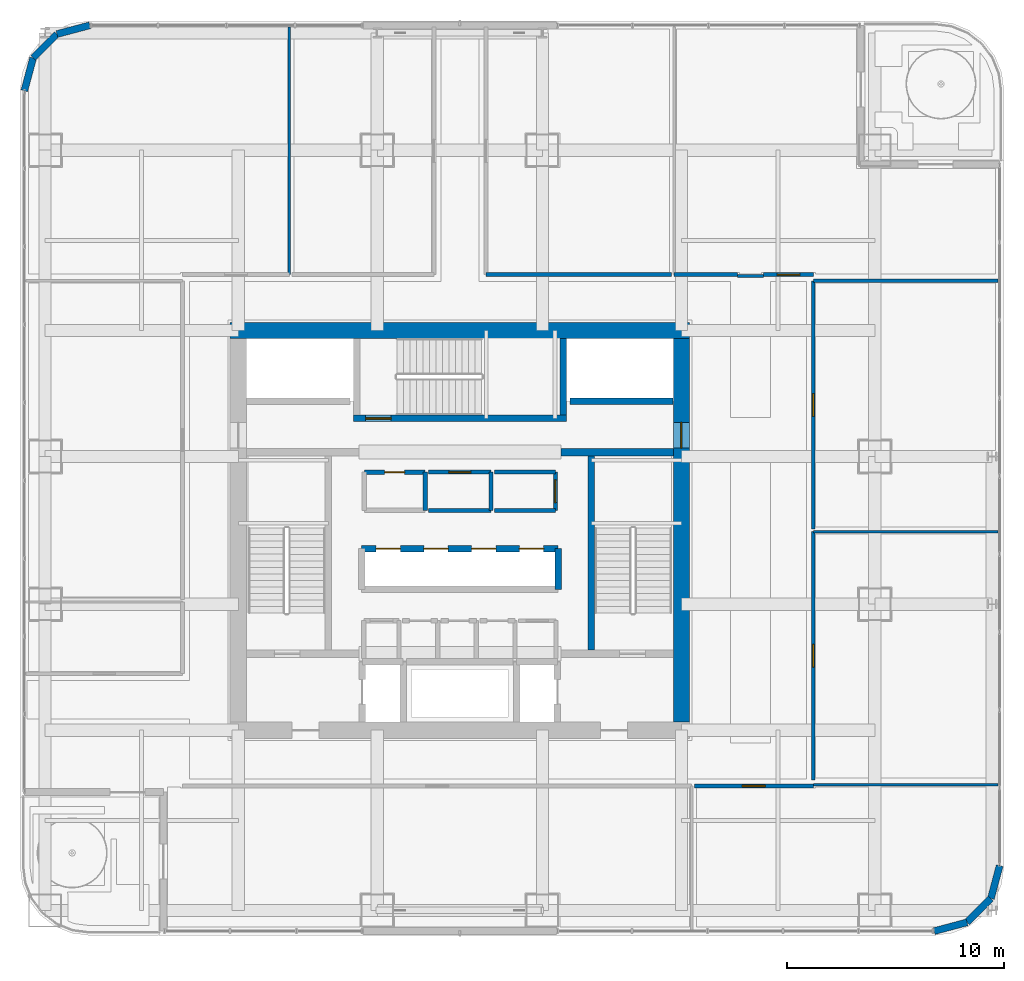
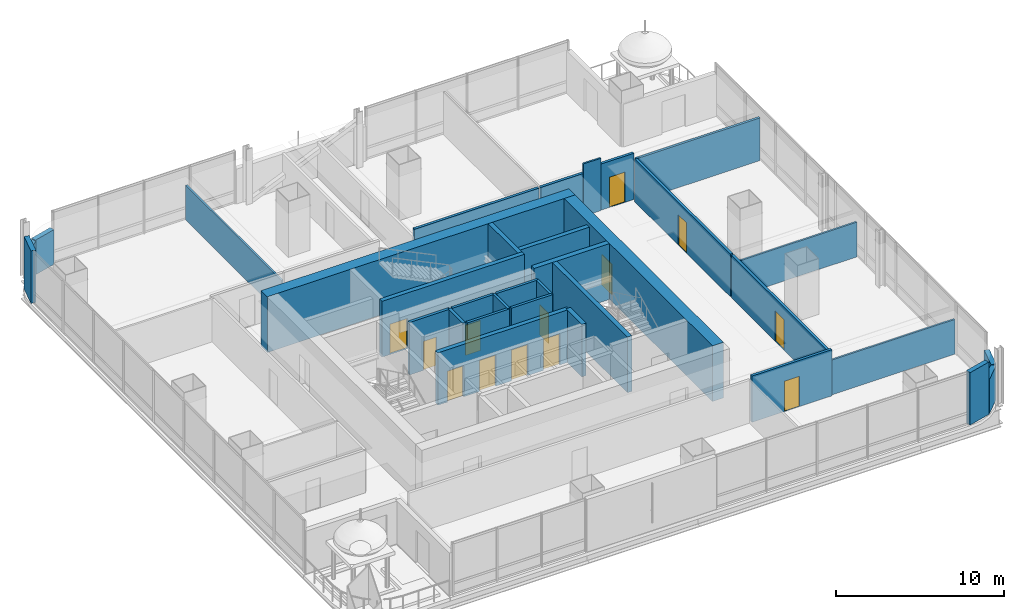
# One storey, part 27 of 37: 34 walls, 13 doors, 13 openings.
"""IFC4 building model written with IfcOpenShell, lengths in metres."""

from ifc_helpers import new_model, si_unit, direction, frame, frame_2d, origin, place, context, subcontext, project, spatial, rectangle, extrude, material, layer, layer_set, type_object, element, fill, save


model = new_model("IFC4")

# Units and contexts
model_context = context("Model", 3, precision=1e-05, world=origin(), true_north=direction((0.0, 1.0)))
body_context = subcontext(model_context, "Body", "Model", "MODEL_VIEW")
ifc_project = project(units=[si_unit("LENGTHUNIT", "METRE"), si_unit("AREAUNIT", "SQUARE_METRE"), si_unit("VOLUMEUNIT", "CUBIC_METRE"), si_unit("PLANEANGLEUNIT", "RADIAN"), si_unit("MASSUNIT", "GRAM", prefix="KILO")], contexts=[model_context])

# Site, building, storey
site_placement = place(None, origin())
site = spatial("IfcSite", under=ifc_project, at=site_placement, CompositionType="ELEMENT")
building_placement = place(site_placement, origin())
building = spatial("IfcBuilding", under=site, at=building_placement, Name="Punatoya Terracotta Tower", CompositionType="ELEMENT")
storey_placement = place(building_placement, frame((0.0, 0.0, 109.199951171875)))
storey = spatial("IfcBuildingStorey", under=building, at=storey_placement, Name="L25", CompositionType="ELEMENT", Elevation=109.199951171875)

# Wall
ifc_material_1 = material(Name="Concrete C60/75", Category="concrete")
ifc_layer_1 = layer(ifc_material_1, 0.75)
ifc_layer_set_1 = layer_set([ifc_layer_1], Name="Concrete C60/75")
wall_type_1 = type_object("IfcWallType", Name="WL-COR-750", PredefinedType="SHEAR", material=ifc_layer_set_1)
wall_1_placement = place(storey_placement, frame((-10.574951171875, 9.199951171875, 0.0), z_axis=(0.0, 0.0, 1.0), x_axis=(1.0, 0.0, 0.0)))
element("IfcWall", 1, at=wall_1_placement, inside=storey, type_object=wall_type_1, Name="L25 Core Shear Wall N", PredefinedType="SHEAR", context=body_context, shape_type="SweptSolid", body=[
    extrude(rectangle(XDim=21.14990234375, YDim=0.75, at=frame_2d((10.574951171875, 0.0))), origin(), (0.0, 0.0, 1.0), 4.050048828125),
])

# Wall, opening, door
wall_2_placement = place(storey_placement, frame((10.199951171875, 8.824951171875, 0.0), z_axis=(0.0, 0.0, 1.0), x_axis=(0.0, -1.0, 0.0)))
wall_2 = element("IfcWall", 2, at=wall_2_placement, inside=storey, type_object=wall_type_1, Name="L25 Core Shear Wall E", PredefinedType="SHEAR", context=body_context, shape_type="SweptSolid", body=[
    extrude(rectangle(XDim=17.64990234375, YDim=0.75, at=frame_2d((8.824951171875, 0.0))), origin(), (0.0, 0.0, 1.0), 4.050048828125),
])
opening_1_placement = place(wall_2_placement, frame((3.85498046875, 0.0, 0.0)))
opening_1 = element("IfcOpeningElement", 3, at=opening_1_placement, cuts=wall_2, Name="Opening SD-01", PredefinedType="OPENING", context=body_context, shape_type="SweptSolid", body=[
    extrude(rectangle(XDim=1.179931640625, YDim=2.199951171875, at=frame_2d((0.58984375, 1.10009765625))), frame((0.0, 0.385009765625, 0.0), z_axis=(0.0, -1.0, 0.0), x_axis=(1.0, 0.0, 0.0)), (0.0, 0.0, 1.0), 0.77001953125),
])
ifc_material_2 = material(Name="Galvanised Steel Pressurized Stair Fire Door", Category="steel")
door_type_1 = type_object("IfcDoorType", Name="DR-STR-1180", OperationType="NOTDEFINED", PredefinedType="DOOR", material=ifc_material_2)
door_1_placement = place(opening_1_placement, origin())
door_1 = element("IfcDoor", 4, at=door_1_placement, inside=storey, type_object=door_type_1, Name="L25 Central Lift Lobby East Fire Door", OperationType="SINGLE_SWING_RIGHT", OverallHeight=2.199951171875, OverallWidth=1.179931640625, PredefinedType="DOOR", context=body_context, shape_type="SweptSolid", body=[
    extrude(rectangle(XDim=1.179931640625, YDim=2.199951171875, at=frame_2d((0.58984375, 1.10009765625))), frame((0.0, 0.02490234375, 0.0), z_axis=(0.0, -1.0, 0.0), x_axis=(1.0, 0.0, 0.0)), (0.0, 0.0, 1.0), 0.050048828125),
])
fill(opening_1, door_1)

# Wall
ifc_material_3 = material(Name="Gypsum Fireboard + Steel Stud", Category="steel")
ifc_layer_2 = layer(ifc_material_3, 0.179931640625)
ifc_layer_set_2 = layer_set([ifc_layer_2], Name="Gypsum Fireboard + Steel Stud")
wall_type_2 = type_object("IfcWallType", Name="WL-CORR-180", PredefinedType="PARTITIONING", material=ifc_layer_set_2)
wall_3_placement = place(storey_placement, frame((1.43994140625, 0.919921875, 0.0), z_axis=(0.0, 0.0, 1.0), x_axis=(0.0, 1.0, 0.0)))
element("IfcWall", 5, at=wall_3_placement, inside=storey, type_object=wall_type_2, Name="L25 Center Core Briefing Pod Partition 16", PredefinedType="PARTITIONING", context=body_context, shape_type="SweptSolid", body=[
    extrude(rectangle(XDim=1.760009765625, YDim=0.179931640625, at=frame_2d((0.8798828125, 0.0))), origin(), (0.0, 0.0, 1.0), 3.81005859375),
])

# Wall, opening, door
wall_4_placement = place(storey_placement, frame((1.43994140625, 2.679931640625, 0.0), z_axis=(0.0, 0.0, 1.0), x_axis=(-1.0, 0.0, 0.0)))
wall_4 = element("IfcWall", 6, at=wall_4_placement, inside=storey, type_object=wall_type_2, Name="L25 Center Core Briefing Pod Partition 17", PredefinedType="PARTITIONING", context=body_context, shape_type="SweptSolid", body=[
    extrude(rectangle(XDim=2.8798828125, YDim=0.179931640625, at=frame_2d((1.43994140625, 0.0))), origin(), (0.0, 0.0, 1.0), 3.81005859375),
])
opening_2_placement = place(wall_4_placement, frame((0.929931640625, 0.0, 0.0)))
opening_2 = element("IfcOpeningElement", 7, at=opening_2_placement, cuts=wall_4, Name="Opening MD-01", PredefinedType="OPENING", context=body_context, shape_type="SweptSolid", body=[
    extrude(rectangle(XDim=1.02001953125, YDim=2.199951171875, at=frame_2d((0.510009765625, 1.10009765625))), frame((0.0, 0.099853515625, 0.0), z_axis=(0.0, -1.0, 0.0), x_axis=(1.0, 0.0, 0.0)), (0.0, 0.0, 1.0), 0.199951171875),
])
ifc_material_4 = material(Name="Aluminium + Acoustic Glass Leaf", Category="aluminium")
door_type_2 = type_object("IfcDoorType", Name="DR-MTG-1020", OperationType="NOTDEFINED", PredefinedType="DOOR", material=ifc_material_4)
door_2_placement = place(opening_2_placement, origin())
door_2 = element("IfcDoor", 8, at=door_2_placement, inside=storey, type_object=door_type_2, Name="L25 Center Briefing Pod Door", OperationType="SINGLE_SWING_RIGHT", OverallHeight=2.199951171875, OverallWidth=1.02001953125, PredefinedType="DOOR", context=body_context, shape_type="SweptSolid", body=[
    extrude(rectangle(XDim=1.02001953125, YDim=2.199951171875, at=frame_2d((0.510009765625, 1.10009765625))), frame((0.0, 0.02490234375, 0.0), z_axis=(0.0, -1.0, 0.0), x_axis=(1.0, 0.0, 0.0)), (0.0, 0.0, 1.0), 0.050048828125),
])
fill(opening_2, door_2)

# Wall
wall_5_placement = place(storey_placement, frame((-1.43994140625, 0.919921875, 0.0), z_axis=(0.0, 0.0, 1.0), x_axis=(1.0, 0.0, 0.0)))
element("IfcWall", 9, at=wall_5_placement, inside=storey, type_object=wall_type_2, Name="L25 Center Core Briefing Pod Partition 18", PredefinedType="PARTITIONING", context=body_context, shape_type="SweptSolid", body=[
    extrude(rectangle(XDim=2.8798828125, YDim=0.179931640625, at=frame_2d((1.43994140625, 0.0))), origin(), (0.0, 0.0, 1.0), 3.81005859375),
])

# Wall, opening, door
wall_6_placement = place(storey_placement, frame((4.39990234375, 0.919921875, 0.0), z_axis=(0.0, 0.0, 1.0), x_axis=(0.0, 1.0, 0.0)))
wall_6 = element("IfcWall", 10, at=wall_6_placement, inside=storey, type_object=wall_type_2, Name="L25 Right Core Copy Room Partition 19", PredefinedType="PARTITIONING", context=body_context, shape_type="SweptSolid", body=[
    extrude(rectangle(XDim=1.760009765625, YDim=0.179931640625, at=frame_2d((0.8798828125, 0.0))), origin(), (0.0, 0.0, 1.0), 3.81005859375),
])
opening_3_placement = place(wall_6_placement, frame((0.35498046875, 0.0, 0.0)))
opening_3 = element("IfcOpeningElement", 11, at=opening_3_placement, cuts=wall_6, Name="Opening OD-01", PredefinedType="OPENING", context=body_context, shape_type="SweptSolid", body=[
    extrude(rectangle(XDim=1.050048828125, YDim=2.199951171875, at=frame_2d((0.52490234375, 1.10009765625))), frame((0.0, 0.099853515625, 0.0), z_axis=(0.0, -1.0, 0.0), x_axis=(1.0, 0.0, 0.0)), (0.0, 0.0, 1.0), 0.199951171875),
])
ifc_material_5 = material(Name="Bengal Teak Solid-Core Leaf")
door_type_3 = type_object("IfcDoorType", Name="DR-OFF-1050", OperationType="NOTDEFINED", PredefinedType="DOOR", material=ifc_material_5)
door_3_placement = place(opening_3_placement, origin())
door_3 = element("IfcDoor", 12, at=door_3_placement, inside=storey, type_object=door_type_3, Name="L25 Right Copy Room Door", OperationType="SINGLE_SWING_LEFT", OverallHeight=2.199951171875, OverallWidth=1.050048828125, PredefinedType="DOOR", context=body_context, shape_type="SweptSolid", body=[
    extrude(rectangle(XDim=1.050048828125, YDim=2.199951171875, at=frame_2d((0.52490234375, 1.10009765625))), frame((0.0, 0.02490234375, 0.0), z_axis=(0.0, -1.0, 0.0), x_axis=(1.0, 0.0, 0.0)), (0.0, 0.0, 1.0), 0.050048828125),
])
fill(opening_3, door_3)

# Walls
for number, where, z_axis, x_axis, name in (
    (13, (4.39990234375, 2.679931640625, 0.0), (0.0, 0.0, 1.0), (-1.0, 0.0, 0.0), "L25 Right Core Copy Room Partition 20"),
    (14, (1.60009765625, 0.919921875, 0.0), (0.0, 0.0, 1.0), (1.0, 0.0, 0.0), "L25 Right Core Copy Room Partition 21"),
):
    element("IfcWall", number, at=place(storey_placement, frame(where, z_axis=z_axis, x_axis=x_axis)), inside=storey, type_object=wall_type_2, Name=name, PredefinedType="PARTITIONING", context=body_context, shape_type="SweptSolid", body=[
        extrude(rectangle(XDim=2.7998046875, YDim=0.179931640625, at=frame_2d((1.39990234375, 0.0))), origin(), (0.0, 0.0, 1.0), 3.81005859375),
    ])

# Wall, opening, door
wall_7_placement = place(storey_placement, frame((10.7939453125, -11.77001953125, 0.0), z_axis=(0.0, 0.0, 1.0), x_axis=(1.0, 0.0, 0.0)))
wall_7 = element("IfcWall", 15, at=wall_7_placement, inside=storey, type_object=wall_type_2, Name="L25 Open-Plan Analytical Practice Office Partition 25", PredefinedType="PARTITIONING", context=body_context, shape_type="SweptSolid", body=[
    extrude(rectangle(XDim=5.47607421875, YDim=0.179931640625, at=frame_2d((2.738037109375, 0.0))), origin(), (0.0, 0.0, 1.0), 3.35400390625),
])
opening_4_placement = place(wall_7_placement, frame((2.212890625, 0.0, 0.0)))
opening_4 = element("IfcOpeningElement", 16, at=opening_4_placement, cuts=wall_7, Name="Opening OD-01", PredefinedType="OPENING", context=body_context, shape_type="SweptSolid", body=[
    extrude(rectangle(XDim=1.050048828125, YDim=2.199951171875, at=frame_2d((0.52490234375, 1.10009765625))), frame((0.0, 0.099853515625, 0.0), z_axis=(0.0, -1.0, 0.0), x_axis=(1.0, 0.0, 0.0)), (0.0, 0.0, 1.0), 0.199951171875),
])
door_4_placement = place(opening_4_placement, origin())
door_4 = element("IfcDoor", 17, at=door_4_placement, inside=storey, type_object=door_type_3, Name="L25 Open-Plan Analytical Practice Office Door", OperationType="SINGLE_SWING_LEFT", OverallHeight=2.199951171875, OverallWidth=1.050048828125, PredefinedType="DOOR", context=body_context, shape_type="SweptSolid", body=[
    extrude(rectangle(XDim=1.050048828125, YDim=2.199951171875, at=frame_2d((0.52490234375, 1.10009765625))), frame((0.0, 0.02490234375, 0.0), z_axis=(0.0, -1.0, 0.0), x_axis=(1.0, 0.0, 0.0)), (0.0, 0.0, 1.0), 0.050048828125),
])
fill(opening_4, door_4)

wall_8_placement = place(storey_placement, frame((16.27001953125, -11.489990234375, 0.0), z_axis=(0.0, 0.0, 1.0), x_axis=(0.0, 1.0, 0.0)))
wall_8 = element("IfcWall", 18, at=wall_8_placement, inside=storey, type_object=wall_type_2, Name="L25 Open-Plan Project Design Office Partition 27", PredefinedType="PARTITIONING", context=body_context, shape_type="SweptSolid", body=[
    extrude(rectangle(XDim=11.429931640625, YDim=0.179931640625, at=frame_2d((5.71484375, 0.0))), origin(), (0.0, 0.0, 1.0), 3.10400390625),
])
opening_5_placement = place(wall_8_placement, frame((5.18994140625, 0.0, 0.0)))
opening_5 = element("IfcOpeningElement", 19, at=opening_5_placement, cuts=wall_8, Name="Opening OD-01", PredefinedType="OPENING", context=body_context, shape_type="SweptSolid", body=[
    extrude(rectangle(XDim=1.050048828125, YDim=2.199951171875, at=frame_2d((0.52490234375, 1.10009765625))), frame((0.0, 0.099853515625, 0.0), z_axis=(0.0, -1.0, 0.0), x_axis=(1.0, 0.0, 0.0)), (0.0, 0.0, 1.0), 0.199951171875),
])
door_5_placement = place(opening_5_placement, origin())
door_5 = element("IfcDoor", 20, at=door_5_placement, inside=storey, type_object=door_type_3, Name="L25 Open-Plan Project Design Office Door", OperationType="SINGLE_SWING_RIGHT", OverallHeight=2.199951171875, OverallWidth=1.050048828125, PredefinedType="DOOR", context=body_context, shape_type="SweptSolid", body=[
    extrude(rectangle(XDim=1.050048828125, YDim=2.199951171875, at=frame_2d((0.52490234375, 1.10009765625))), frame((0.0, 0.02490234375, 0.0), z_axis=(0.0, -1.0, 0.0), x_axis=(1.0, 0.0, 0.0)), (0.0, 0.0, 1.0), 0.050048828125),
])
fill(opening_5, door_5)

wall_9_placement = place(storey_placement, frame((16.27001953125, 0.06005859375, 0.0), z_axis=(0.0, 0.0, 1.0), x_axis=(0.0, 1.0, 0.0)))
wall_9 = element("IfcWall", 21, at=wall_9_placement, inside=storey, type_object=wall_type_2, Name="L25 Open-Plan Staff Tea Pantry Partition 34", PredefinedType="PARTITIONING", context=body_context, shape_type="SweptSolid", body=[
    extrude(rectangle(XDim=11.429931640625, YDim=0.179931640625, at=frame_2d((5.71484375, 0.0))), origin(), (0.0, 0.0, 1.0), 3.10400390625),
])
opening_6_placement = place(wall_9_placement, frame((5.18994140625, 0.0, 0.0)))
opening_6 = element("IfcOpeningElement", 22, at=opening_6_placement, cuts=wall_9, Name="Opening OD-01", PredefinedType="OPENING", context=body_context, shape_type="SweptSolid", body=[
    extrude(rectangle(XDim=1.050048828125, YDim=2.199951171875, at=frame_2d((0.52490234375, 1.10009765625))), frame((0.0, 0.099853515625, 0.0), z_axis=(0.0, -1.0, 0.0), x_axis=(1.0, 0.0, 0.0)), (0.0, 0.0, 1.0), 0.199951171875),
])
door_6_placement = place(opening_6_placement, origin())
door_6 = element("IfcDoor", 23, at=door_6_placement, inside=storey, type_object=door_type_3, Name="L25 Open-Plan Staff Tea Pantry Door", OperationType="SINGLE_SWING_LEFT", OverallHeight=2.199951171875, OverallWidth=1.050048828125, PredefinedType="DOOR", context=body_context, shape_type="SweptSolid", body=[
    extrude(rectangle(XDim=1.050048828125, YDim=2.199951171875, at=frame_2d((0.52490234375, 1.10009765625))), frame((0.0, 0.02490234375, 0.0), z_axis=(0.0, -1.0, 0.0), x_axis=(1.0, 0.0, 0.0)), (0.0, 0.0, 1.0), 0.050048828125),
])
fill(opening_6, door_6)

wall_10_placement = place(storey_placement, frame((16.27001953125, 11.77001953125, 0.0), z_axis=(0.0, 0.0, 1.0), x_axis=(-1.0, 0.0, 0.0)))
wall_10 = element("IfcWall", 24, at=wall_10_placement, inside=storey, type_object=wall_type_2, Name="L25 Wellness Quiet Room Partition 35", PredefinedType="PARTITIONING", context=body_context, shape_type="SweptSolid", body=[
    extrude(rectangle(XDim=2.2900390625, YDim=0.179931640625, at=frame_2d((1.14501953125, 0.0))), origin(), (0.0, 0.0, 1.0), 3.35400390625),
])
opening_7_placement = place(wall_10_placement, frame((0.6201171875, 0.0, 0.0)))
opening_7 = element("IfcOpeningElement", 25, at=opening_7_placement, cuts=wall_10, Name="Opening OD-01", PredefinedType="OPENING", context=body_context, shape_type="SweptSolid", body=[
    extrude(rectangle(XDim=1.050048828125, YDim=2.199951171875, at=frame_2d((0.52490234375, 1.10009765625))), frame((0.0, 0.099853515625, 0.0), z_axis=(0.0, -1.0, 0.0), x_axis=(1.0, 0.0, 0.0)), (0.0, 0.0, 1.0), 0.199951171875),
])
door_7_placement = place(opening_7_placement, origin())
door_7 = element("IfcDoor", 26, at=door_7_placement, inside=storey, type_object=door_type_3, Name="L25 Wellness Quiet Room Door", OperationType="SINGLE_SWING_RIGHT", OverallHeight=2.199951171875, OverallWidth=1.050048828125, PredefinedType="DOOR", context=body_context, shape_type="SweptSolid", body=[
    extrude(rectangle(XDim=1.050048828125, YDim=2.199951171875, at=frame_2d((0.52490234375, 1.10009765625))), frame((0.0, 0.02490234375, 0.0), z_axis=(0.0, -1.0, 0.0), x_axis=(1.0, 0.0, 0.0)), (0.0, 0.0, 1.0), 0.050048828125),
])
fill(opening_7, door_7)

# Walls
wall_11_placement = place(storey_placement, frame((12.77001953125, 11.77001953125, 0.0), z_axis=(0.0, 0.0, 1.0), x_axis=(-1.0, 0.0, 0.0)))
element("IfcWall", 27, at=wall_11_placement, inside=storey, type_object=wall_type_2, Name="L25 Wellness Quiet Room Partition 37", PredefinedType="PARTITIONING", context=body_context, shape_type="SweptSolid", body=[
    extrude(rectangle(XDim=2.902099609375, YDim=0.179931640625, at=frame_2d((1.451171875, 0.0))), origin(), (0.0, 0.0, 1.0), 3.10400390625),
])
wall_12_placement = place(storey_placement, frame((9.748046875, 11.77001953125, 0.0), z_axis=(0.0, 0.0, 1.0), x_axis=(-1.0, 0.0, 0.0)))
element("IfcWall", 28, at=wall_12_placement, inside=storey, type_object=wall_type_2, Name="L25 Open-Plan Regional Operations Office Partition 44", PredefinedType="PARTITIONING", context=body_context, shape_type="SweptSolid", body=[
    extrude(rectangle(XDim=8.548095703125, YDim=0.179931640625, at=frame_2d((4.27392578125, 0.0))), origin(), (0.0, 0.0, 1.0), 3.10400390625),
])
ifc_material_6 = material(Name="Precast concrete C40/50", Category="concrete")
ifc_layer_3 = layer(ifc_material_6, 0.320068359375)
ifc_layer_set_3 = layer_set([ifc_layer_3], Name="Precast concrete C40/50")
wall_type_3 = type_object("IfcWallType", Name="WL-EXT-320", PredefinedType="SOLIDWALL", material=ifc_layer_set_3)
wall_13_placement = place(storey_placement, frame((21.8369140625, -18.449951171875, 0.0), z_axis=(0.0, 0.0, 1.0), x_axis=(0.966224582397, 0.257701486942, 0.0)))
element("IfcWall", 29, at=wall_13_placement, inside=storey, type_object=wall_type_3, Name="L25 Rounded Terracotta Corner Pier 02", PredefinedType="SOLIDWALL", context=body_context, shape_type="SweptSolid", body=[
    extrude(rectangle(XDim=1.565185546875, YDim=0.320068359375, at=frame_2d((0.78271484375, 0.0))), origin(), (0.0, 0.0, 1.0), 3.81005859375),
])
wall_14_placement = place(storey_placement, frame((23.34912109375, -18.046630859375, 0.0), z_axis=(0.0, 0.0, 1.0), x_axis=(0.707106781187, 0.707106781187, 0.0)))
element("IfcWall", 30, at=wall_14_placement, inside=storey, type_object=wall_type_3, Name="L25 Rounded Terracotta Corner Pier 03", PredefinedType="SOLIDWALL", context=body_context, shape_type="SweptSolid", body=[
    extrude(rectangle(XDim=1.552001953125, YDim=0.320068359375, at=frame_2d((0.77587890625, 0.0))), origin(), (0.0, 0.0, 1.0), 2.484130859375),
])
for number, where, z_axis, x_axis, name in (
    (31, (24.446533203125, -16.94921875, 0.0), (0.0, 0.0, 1.0), (0.257847112249, 0.966185730957, 0.0), "L25 Rounded Terracotta Corner Pier 04"),
    (32, (-17.036865234375, 23.25, 0.0), (0.0, 0.0, 1.0), (-0.966224582397, -0.257701486942, 0.0), "L25 Rounded Terracotta Corner Pier 09"),
):
    element("IfcWall", number, at=place(storey_placement, frame(where, z_axis=z_axis, x_axis=x_axis)), inside=storey, type_object=wall_type_3, Name=name, PredefinedType="SOLIDWALL", context=body_context, shape_type="SweptSolid", body=[
        extrude(rectangle(XDim=1.565185546875, YDim=0.320068359375, at=frame_2d((0.78271484375, 0.0))), origin(), (0.0, 0.0, 1.0), 2.524169921875),
    ])
wall_15_placement = place(storey_placement, frame((-18.549072265625, 22.8466796875, 0.0), z_axis=(0.0, 0.0, 1.0), x_axis=(-0.707028130747, -0.707185422879, 0.0)))
element("IfcWall", 33, at=wall_15_placement, inside=storey, type_object=wall_type_3, Name="L25 Rounded Terracotta Corner Pier 10", PredefinedType="SOLIDWALL", context=body_context, shape_type="SweptSolid", body=[
    extrude(rectangle(XDim=1.55224609375, YDim=0.320068359375, at=frame_2d((0.776123046875, 0.0))), origin(), (0.0, 0.0, 1.0), 2.484130859375),
])
wall_16_placement = place(storey_placement, frame((-19.646484375, 21.7490234375, 0.0), z_axis=(0.0, 0.0, 1.0), x_axis=(-0.257847112249, -0.966185730957, 0.0)))
element("IfcWall", 34, at=wall_16_placement, inside=storey, type_object=wall_type_3, Name="L25 Rounded Terracotta Corner Pier 11", PredefinedType="SOLIDWALL", context=body_context, shape_type="SweptSolid", body=[
    extrude(rectangle(XDim=1.565185546875, YDim=0.320068359375, at=frame_2d((0.78271484375, 0.0))), origin(), (0.0, 0.0, 1.0), 3.81005859375),
])
ifc_material_7 = material(Name="Concrete C40/50", Category="concrete")
ifc_layer_4 = layer(ifc_material_7, 0.199951171875)
ifc_layer_set_4 = layer_set([ifc_layer_4], Name="Concrete C40/50")
wall_type_4 = type_object("IfcWallType", Name="WL-INT-200", PredefinedType="SOLIDWALL", material=ifc_layer_set_4)
wall_17_placement = place(storey_placement, frame((-1.60009765625, 0.919921875, 0.0), z_axis=(0.0, 0.0, 1.0), x_axis=(0.0, 1.0, 0.0)))
element("IfcWall", 35, at=wall_17_placement, inside=storey, type_object=wall_type_4, Name="L25 Left Core Store Partition 12", PredefinedType="SOLIDWALL", context=body_context, shape_type="SweptSolid", body=[
    extrude(rectangle(XDim=1.760009765625, YDim=0.199951171875, at=frame_2d((0.8798828125, 0.0))), origin(), (0.0, 0.0, 1.0), 3.81005859375),
])

# Wall, opening, door
wall_18_placement = place(storey_placement, frame((-1.60009765625, 2.679931640625, 0.0), z_axis=(0.0, 0.0, 1.0), x_axis=(-1.0, 0.0, 0.0)))
wall_18 = element("IfcWall", 36, at=wall_18_placement, inside=storey, type_object=wall_type_4, Name="L25 Left Core Store Partition 13", PredefinedType="SOLIDWALL", context=body_context, shape_type="SweptSolid", body=[
    extrude(rectangle(XDim=2.7998046875, YDim=0.199951171875, at=frame_2d((1.39990234375, 0.0))), origin(), (0.0, 0.0, 1.0), 3.81005859375),
])
opening_8_placement = place(wall_18_placement, frame((0.93994140625, 0.0, 0.0)))
opening_8 = element("IfcOpeningElement", 37, at=opening_8_placement, cuts=wall_18, Name="Opening FD-R1", PredefinedType="OPENING", context=body_context, shape_type="SweptSolid", body=[
    extrude(rectangle(XDim=0.919921875, YDim=2.10009765625, at=frame_2d((0.4599609375, 1.050048828125))), frame((0.0, 0.10986328125, 0.0), z_axis=(0.0, -1.0, 0.0), x_axis=(1.0, 0.0, 0.0)), (0.0, 0.0, 1.0), 0.219970703125),
])
ifc_material_8 = material(Name="Galvanised Steel Riser Fire Access Door", Category="steel")
door_type_4 = type_object("IfcDoorType", Name="DR-RSR-920", OperationType="NOTDEFINED", PredefinedType="DOOR", material=ifc_material_8)
door_8_placement = place(opening_8_placement, origin())
door_8 = element("IfcDoor", 38, at=door_8_placement, inside=storey, type_object=door_type_4, Name="L25 Left Core Store Fire Door", OperationType="SINGLE_SWING_LEFT", OverallHeight=2.10009765625, OverallWidth=0.919921875, PredefinedType="DOOR", context=body_context, shape_type="SweptSolid", body=[
    extrude(rectangle(XDim=0.919921875, YDim=2.10009765625, at=frame_2d((0.4599609375, 1.050048828125))), frame((0.0, 0.02490234375, 0.0), z_axis=(0.0, -1.0, 0.0), x_axis=(1.0, 0.0, 0.0)), (0.0, 0.0, 1.0), 0.050048828125),
])
fill(opening_8, door_8)

# Walls
ifc_material_9 = material(Name="Gypsum Partition + Steel Stud", Category="steel")
ifc_layer_5 = layer(ifc_material_9, 0.1201171875)
ifc_layer_set_5 = layer_set([ifc_layer_5], Name="Gypsum Partition + Steel Stud")
wall_type_5 = type_object("IfcWallType", Name="WL-OFF-120", PredefinedType="PARTITIONING", material=ifc_layer_set_5)
for number, where, z_axis, x_axis, name in (
    (39, (16.27001953125, -11.7099609375, 0.0), (0.0, 0.0, 1.0), (1.0, 0.0, 0.0), "L25 Open-Plan Analytical Practice Office Partition 24"),
    (40, (16.27001953125, -0.06005859375, 0.0), (0.0, 0.0, 1.0), (1.0, 0.0, 0.0), "L25 Open-Plan Project Design Office Partition 26"),
):
    element("IfcWall", number, at=place(storey_placement, frame(where, z_axis=z_axis, x_axis=x_axis)), inside=storey, type_object=wall_type_5, Name=name, PredefinedType="PARTITIONING", context=body_context, shape_type="SweptSolid", body=[
        extrude(rectangle(XDim=8.5, YDim=0.1201171875, at=frame_2d((4.25, 0.0))), origin(), (0.0, 0.0, 1.0), 2.524169921875),
    ])
wall_19_placement = place(storey_placement, frame((13.97998046875, 11.7099609375, 0.0), z_axis=(0.0, 0.0, 1.0), x_axis=(-1.0, 0.0, 0.0)))
element("IfcWall", 41, at=wall_19_placement, inside=storey, type_object=wall_type_5, Name="L25 Wellness Quiet Room Partition 36", PredefinedType="PARTITIONING", context=body_context, shape_type="SweptSolid", body=[
    extrude(rectangle(XDim=1.2099609375, YDim=0.1201171875, at=frame_2d((0.60498046875, 0.0))), origin(), (0.0, 0.0, 1.0), 3.81005859375),
])
wall_20_placement = place(storey_placement, frame((-7.845947265625, 23.169921875, 0.0), z_axis=(0.0, 0.0, 1.0), x_axis=(0.0, -1.0, 0.0)))
element("IfcWall", 42, at=wall_20_placement, inside=storey, type_object=wall_type_5, Name="L25 Open-Plan Systems Engineering Office Partition 39", PredefinedType="PARTITIONING", context=body_context, shape_type="SweptSolid", body=[
    extrude(rectangle(XDim=11.39990234375, YDim=0.1201171875, at=frame_2d((5.699951171875, 0.0))), origin(), (0.0, 0.0, 1.0), 2.524169921875),
])
ifc_layer_6 = layer(ifc_material_7, 0.300048828125)
ifc_layer_set_6 = layer_set([ifc_layer_6], Name="Concrete C40/50")
wall_type_6 = type_object("IfcWallType", Name="WL-SHF-300", PredefinedType="SOLIDWALL", material=ifc_layer_set_6)
wall_21_placement = place(storey_placement, frame((6.050048828125, 3.449951171875, 0.0), z_axis=(0.0, 0.0, 1.0), x_axis=(0.0, -1.0, 0.0)))
element("IfcWall", 43, at=wall_21_placement, inside=storey, type_object=wall_type_6, Name="L25 Structural Stair Shaft Wall SW-ST2-W", PredefinedType="SOLIDWALL", context=body_context, shape_type="SweptSolid", body=[
    extrude(rectangle(XDim=8.949951171875, YDim=0.300048828125, at=frame_2d((4.47509765625, 0.0))), origin(), (0.0, 0.0, 1.0), 4.050048828125),
])
wall_22_placement = place(storey_placement, frame((4.75, 8.824951171875, 0.0), z_axis=(0.0, 0.0, 1.0), x_axis=(0.0, -1.0, 0.0)))
element("IfcWall", 44, at=wall_22_placement, inside=storey, type_object=wall_type_6, Name="L25 Structural Stair Shaft Wall SW-ST3-E", PredefinedType="SOLIDWALL", context=body_context, shape_type="SweptSolid", body=[
    extrude(rectangle(XDim=3.52490234375, YDim=0.300048828125, at=frame_2d((1.762451171875, 0.0))), origin(), (0.0, 0.0, 1.0), 4.050048828125),
])

# Wall, opening, door
wall_23_placement = place(storey_placement, frame((-4.89990234375, 5.14990234375, 0.0), z_axis=(0.0, 0.0, 1.0), x_axis=(1.0, 0.0, 0.0)))
wall_23 = element("IfcWall", 45, at=wall_23_placement, inside=storey, type_object=wall_type_6, Name="L25 Structural Stair Shaft Wall SW-ST3-S", PredefinedType="SOLIDWALL", context=body_context, shape_type="SweptSolid", body=[
    extrude(rectangle(XDim=9.7998046875, YDim=0.300048828125, at=frame_2d((4.89990234375, 0.0))), origin(), (0.0, 0.0, 1.0), 4.050048828125),
])
opening_9_placement = place(wall_23_placement, frame((0.56005859375, 0.0, 0.0)))
opening_9 = element("IfcOpeningElement", 46, at=opening_9_placement, cuts=wall_23, Name="Opening SD-01", PredefinedType="OPENING", context=body_context, shape_type="SweptSolid", body=[
    extrude(rectangle(XDim=1.179931640625, YDim=2.199951171875, at=frame_2d((0.58984375, 1.10009765625))), frame((0.0, 0.159912109375, 0.0), z_axis=(0.0, -1.0, 0.0), x_axis=(1.0, 0.0, 0.0)), (0.0, 0.0, 1.0), 0.320068359375),
])
door_9_placement = place(opening_9_placement, origin())
door_9 = element("IfcDoor", 47, at=door_9_placement, inside=storey, type_object=door_type_1, Name="L25 Stair ST-3 Core Lobby Fire Door", OperationType="SINGLE_SWING_LEFT", OverallHeight=2.199951171875, OverallWidth=1.179931640625, PredefinedType="DOOR", context=body_context, shape_type="SweptSolid", body=[
    extrude(rectangle(XDim=1.179931640625, YDim=2.199951171875, at=frame_2d((0.58984375, 1.10009765625))), frame((0.0, 0.02490234375, 0.0), z_axis=(0.0, -1.0, 0.0), x_axis=(1.0, 0.0, 0.0)), (0.0, 0.0, 1.0), 0.050048828125),
])
fill(opening_9, door_9)

# Wall, openings, doors
wall_24_placement = place(storey_placement, frame((-4.52001953125, -0.840087890625, 0.0), z_axis=(0.0, 0.0, 1.0), x_axis=(1.0, 0.0, 0.0)))
wall_24 = element("IfcWall", 48, at=wall_24_placement, inside=storey, type_object=wall_type_6, Name="L25 South Lift Bank Front Shaft Wall", PredefinedType="SOLIDWALL", context=body_context, shape_type="SweptSolid", body=[
    extrude(rectangle(XDim=9.0400390625, YDim=0.300048828125, at=frame_2d((4.52001953125, 0.0))), origin(), (0.0, 0.0, 1.0), 3.81005859375),
])
opening_10_placement = place(wall_24_placement, frame((0.659912109375, 0.0, 0.0)))
opening_10 = element("IfcOpeningElement", 49, at=opening_10_placement, cuts=wall_24, Name="Opening LD-02", PredefinedType="OPENING", context=body_context, shape_type="SweptSolid", body=[
    extrude(rectangle(XDim=1.1201171875, YDim=2.25, at=frame_2d((0.56005859375, 1.125))), frame((0.0, 0.159912109375, 0.0), z_axis=(0.0, -1.0, 0.0), x_axis=(1.0, 0.0, 0.0)), (0.0, 0.0, 1.0), 0.320068359375),
])
opening_11_placement = place(wall_24_placement, frame((2.860107421875, 0.0, 0.0)))
opening_11 = element("IfcOpeningElement", 50, at=opening_11_placement, cuts=wall_24, Name="Opening LD-02", PredefinedType="OPENING", context=body_context, shape_type="SweptSolid", body=[
    extrude(rectangle(XDim=1.1201171875, YDim=2.25, at=frame_2d((0.56005859375, 1.125))), frame((0.0, 0.159912109375, 0.0), z_axis=(0.0, -1.0, 0.0), x_axis=(1.0, 0.0, 0.0)), (0.0, 0.0, 1.0), 0.320068359375),
])
opening_12_placement = place(wall_24_placement, frame((5.06005859375, 0.0, 0.0)))
opening_12 = element("IfcOpeningElement", 51, at=opening_12_placement, cuts=wall_24, Name="Opening LD-02", PredefinedType="OPENING", context=body_context, shape_type="SweptSolid", body=[
    extrude(rectangle(XDim=1.1201171875, YDim=2.25, at=frame_2d((0.56005859375, 1.125))), frame((0.0, 0.159912109375, 0.0), z_axis=(0.0, -1.0, 0.0), x_axis=(1.0, 0.0, 0.0)), (0.0, 0.0, 1.0), 0.320068359375),
])
opening_13_placement = place(wall_24_placement, frame((7.260009765625, 0.0, 0.0)))
opening_13 = element("IfcOpeningElement", 52, at=opening_13_placement, cuts=wall_24, Name="Opening LD-02", PredefinedType="OPENING", context=body_context, shape_type="SweptSolid", body=[
    extrude(rectangle(XDim=1.1201171875, YDim=2.25, at=frame_2d((0.56005859375, 1.125))), frame((0.0, 0.159912109375, 0.0), z_axis=(0.0, -1.0, 0.0), x_axis=(1.0, 0.0, 0.0)), (0.0, 0.0, 1.0), 0.320068359375),
])
ifc_material_10 = material(Name="Stainless Steel Lift Landing Door", Category="steel")
door_type_5 = type_object("IfcDoorType", Name="DR-LND-1120", OperationType="NOTDEFINED", PredefinedType="DOOR", material=ifc_material_10)
door_10_placement = place(opening_10_placement, origin())
door_10 = element("IfcDoor", 53, at=door_10_placement, inside=storey, type_object=door_type_5, Name="L25 Lift PL-L1 Sliding Landing Door", OperationType="DOUBLE_DOOR_SLIDING", OverallHeight=2.25, OverallWidth=1.1201171875, PredefinedType="DOOR", context=body_context, shape_type="SweptSolid", body=[
    extrude(rectangle(XDim=1.1201171875, YDim=2.25, at=frame_2d((0.56005859375, 1.125))), frame((0.0, 0.02490234375, 0.0), z_axis=(0.0, -1.0, 0.0), x_axis=(1.0, 0.0, 0.0)), (0.0, 0.0, 1.0), 0.050048828125),
])
fill(opening_10, door_10)
door_11_placement = place(opening_11_placement, origin())
door_11 = element("IfcDoor", 54, at=door_11_placement, inside=storey, type_object=door_type_5, Name="L25 Lift PL-L2 Sliding Landing Door", OperationType="DOUBLE_DOOR_SLIDING", OverallHeight=2.25, OverallWidth=1.1201171875, PredefinedType="DOOR", context=body_context, shape_type="SweptSolid", body=[
    extrude(rectangle(XDim=1.1201171875, YDim=2.25, at=frame_2d((0.56005859375, 1.125))), frame((0.0, 0.02490234375, 0.0), z_axis=(0.0, -1.0, 0.0), x_axis=(1.0, 0.0, 0.0)), (0.0, 0.0, 1.0), 0.050048828125),
])
fill(opening_11, door_11)
door_12_placement = place(opening_12_placement, origin())
door_12 = element("IfcDoor", 55, at=door_12_placement, inside=storey, type_object=door_type_5, Name="L25 Lift PL-L3 Sliding Landing Door", OperationType="DOUBLE_DOOR_SLIDING", OverallHeight=2.25, OverallWidth=1.1201171875, PredefinedType="DOOR", context=body_context, shape_type="SweptSolid", body=[
    extrude(rectangle(XDim=1.1201171875, YDim=2.25, at=frame_2d((0.56005859375, 1.125))), frame((0.0, 0.02490234375, 0.0), z_axis=(0.0, -1.0, 0.0), x_axis=(1.0, 0.0, 0.0)), (0.0, 0.0, 1.0), 0.050048828125),
])
fill(opening_12, door_12)
door_13_placement = place(opening_13_placement, origin())
door_13 = element("IfcDoor", 56, at=door_13_placement, inside=storey, type_object=door_type_5, Name="L25 Lift PL-L4 Sliding Landing Door", OperationType="DOUBLE_DOOR_SLIDING", OverallHeight=2.25, OverallWidth=1.1201171875, PredefinedType="DOOR", context=body_context, shape_type="SweptSolid", body=[
    extrude(rectangle(XDim=1.1201171875, YDim=2.25, at=frame_2d((0.56005859375, 1.125))), frame((0.0, 0.02490234375, 0.0), z_axis=(0.0, -1.0, 0.0), x_axis=(1.0, 0.0, 0.0)), (0.0, 0.0, 1.0), 0.050048828125),
])
fill(opening_13, door_13)

# Walls
wall_25_placement = place(storey_placement, frame((4.52001953125, -2.719970703125, 0.0), z_axis=(0.0, 0.0, 1.0), x_axis=(0.0, 1.0, 0.0)))
element("IfcWall", 57, at=wall_25_placement, inside=storey, type_object=wall_type_6, Name="L25 South Lift Bank East End Wall", PredefinedType="SOLIDWALL", context=body_context, shape_type="SweptSolid", body=[
    extrude(rectangle(XDim=1.8798828125, YDim=0.300048828125, at=frame_2d((0.93994140625, 0.0))), origin(), (0.0, 0.0, 1.0), 3.81005859375),
])
wall_26_placement = place(storey_placement, frame((5.06005859375, 5.949951171875, 0.0), z_axis=(0.0, 0.0, 1.0), x_axis=(1.0, 0.0, 0.0)))
element("IfcWall", 58, at=wall_26_placement, inside=storey, type_object=wall_type_6, Name="L25 Shuttle SL-2 South Hoistway Wall", PredefinedType="SOLIDWALL", context=body_context, shape_type="SweptSolid", body=[
    extrude(rectangle(XDim=4.760009765625, YDim=0.300048828125, at=frame_2d((2.3798828125, 0.0))), origin(), (0.0, 0.0, 1.0), 3.81005859375),
])
ifc_material_11 = material(Name="Concrete C50/60", Category="concrete")
ifc_layer_7 = layer(ifc_material_11, 0.35009765625)
ifc_layer_set_7 = layer_set([ifc_layer_7], Name="Concrete C50/60")
wall_type_7 = type_object("IfcWallType", Name="WL-SHF-350", PredefinedType="SOLIDWALL", material=ifc_layer_set_7)
wall_27_placement = place(storey_placement, frame((4.64990234375, 3.60009765625, 0.0), z_axis=(0.0, 0.0, 1.0), x_axis=(1.0, 0.0, 0.0)))
element("IfcWall", 59, at=wall_27_placement, inside=storey, type_object=wall_type_7, Name="L25 Core Web Wall CNW-R", PredefinedType="SOLIDWALL", context=body_context, shape_type="SweptSolid", body=[
    extrude(rectangle(XDim=5.175048828125, YDim=0.35009765625, at=frame_2d((2.58740234375, 0.0))), origin(), (0.0, 0.0, 1.0), 4.050048828125),
])
ifc_material_12 = material(Name="Masonry Blockwork + Ceramic Tile", Category="masonry")
ifc_layer_8 = layer(ifc_material_12, 0.159912109375)
ifc_layer_set_8 = layer_set([ifc_layer_8], Name="Masonry Blockwork + Ceramic Tile")
wall_type_8 = type_object("IfcWallType", Name="WL-WET-160", PredefinedType="PARTITIONING", material=ifc_layer_set_8)
wall_28_placement = place(storey_placement, frame((16.27001953125, 11.489990234375, 0.0), z_axis=(0.0, 0.0, 1.0), x_axis=(1.0, 0.0, 0.0)))
element("IfcWall", 60, at=wall_28_placement, inside=storey, type_object=wall_type_8, Name="L25 Open-Plan Staff Tea Pantry Partition 33", PredefinedType="PARTITIONING", context=body_context, shape_type="SweptSolid", body=[
    extrude(rectangle(XDim=8.5, YDim=0.159912109375, at=frame_2d((4.25, 0.0))), origin(), (0.0, 0.0, 1.0), 3.10400390625),
])

save(model, "model.ifc")
